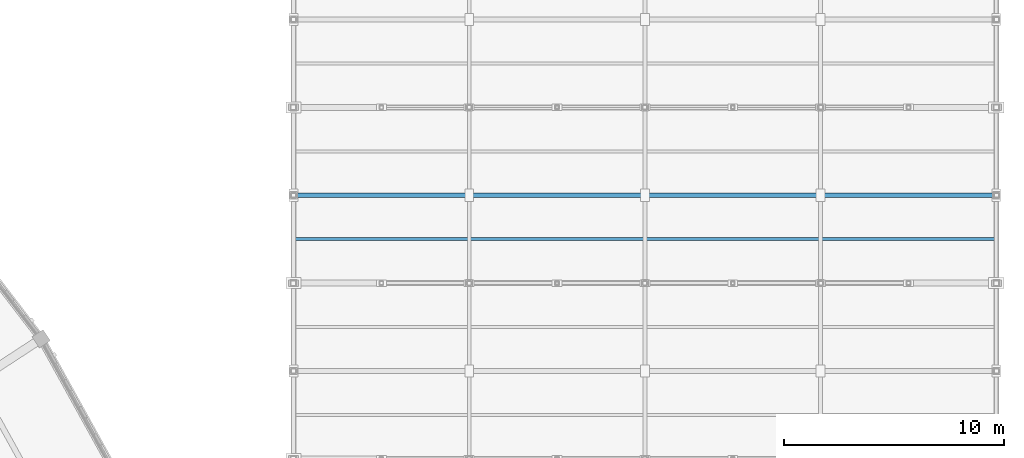
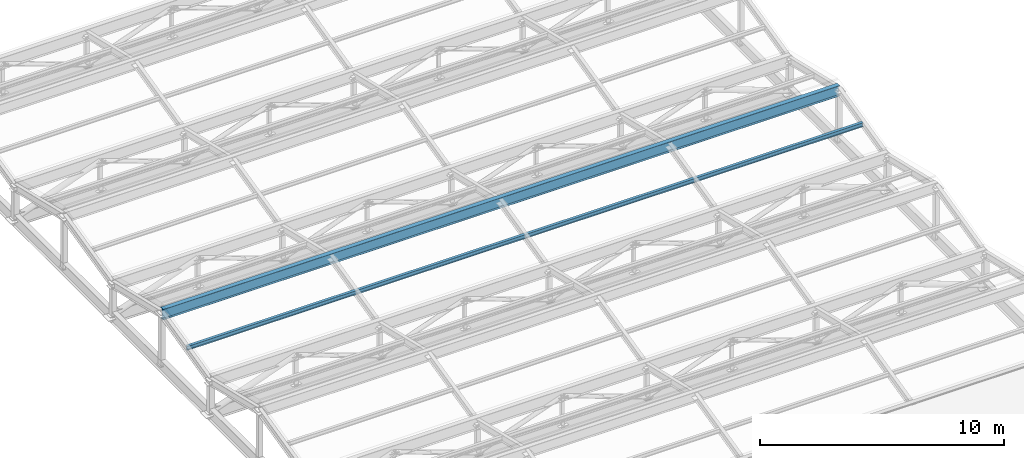
# One storey, part 51 of 112: 2 members.
"""IFC4 building model written with IfcOpenShell, lengths in metres."""

from ifc_helpers import new_model, si_unit, direction, frame, origin, origin_2d, place, context, subcontext, project, spatial, i_section, extrude, material, material_profile, profile_set, type_object, element, save


model = new_model("IFC4")

# Units and contexts
model_context = context("Model", 3, precision=1e-05, world=origin(), true_north=direction((0.0, 1.0)))
body_context = subcontext(model_context, "Body", "Model", "MODEL_VIEW")
ifc_project = project(units=[si_unit("LENGTHUNIT", "METRE"), si_unit("AREAUNIT", "SQUARE_METRE"), si_unit("VOLUMEUNIT", "CUBIC_METRE"), si_unit("PLANEANGLEUNIT", "RADIAN"), si_unit("MASSUNIT", "GRAM", prefix="KILO")], contexts=[model_context])

# Site, building, storey
site_placement = place(None, origin())
site = spatial("IfcSite", under=ifc_project, at=site_placement, CompositionType="ELEMENT")
building_placement = place(site_placement, origin())
building = spatial("IfcBuilding", under=site, at=building_placement, Name="Celadon Cloister-Ring School", CompositionType="ELEMENT")
storey_placement = place(building_placement, frame((0.0, 0.0, 8.5)))
storey = spatial("IfcBuildingStorey", under=building, at=storey_placement, Name="L02", CompositionType="ELEMENT", Elevation=8.5)

# Members
ifc_material_1 = material(Name="Structural steel S355JR", Category="steel")
ifc_material_profile_1 = material_profile(ifc_material_1, i_section(OverallWidth=0.208984375, OverallDepth=0.529052734375, WebThickness=0.009765625, FlangeThickness=0.01318359375, at=origin_2d()), Name="W530X74")
ifc_profile_set_1 = profile_set([ifc_material_profile_1], Name="Structural steel S355JR")
member_type_1 = type_object("IfcMemberType", Name="MC-04", PredefinedType="CHORD", material=ifc_profile_set_1)
member_1_placement = place(storey_placement, frame((142.0, 94.0, 3.449951171875), z_axis=(1.0, 0.0, 0.0), x_axis=(0.0, 1.0, 0.0)))
element("IfcMember", 1, at=member_1_placement, inside=storey, type_object=member_type_1, Name="Structural Member 0539", PredefinedType="CHORD", context=body_context, shape_type="SweptSolid", body=[
    extrude(i_section(OverallWidth=0.208984375, OverallDepth=0.529052734375, WebThickness=0.009765625, FlangeThickness=0.01318359375, at=origin_2d()), origin(), (0.0, 0.0, 1.0), 32.0),
])
ifc_material_2 = material(Name="Structural steel S355JR", Category="steel")
ifc_material_profile_2 = material_profile(ifc_material_2, i_section(OverallWidth=0.133056640625, OverallDepth=0.20703125, WebThickness=0.005859375, FlangeThickness=0.00830078125, at=origin_2d()), Name="W200X27")
ifc_profile_set_2 = profile_set([ifc_material_profile_2], Name="Structural steel S355JR")
member_type_2 = type_object("IfcMemberType", Name="MP-04", PredefinedType="PURLIN", material=ifc_profile_set_2)
member_2_placement = place(storey_placement, frame((142.02001953125, 92.0, 2.949951171875), z_axis=(1.0, 0.0, 0.0), x_axis=(0.0, 1.0, 0.0)))
element("IfcMember", 2, at=member_2_placement, inside=storey, type_object=member_type_2, Name="Structural Member 0550", PredefinedType="PURLIN", context=body_context, shape_type="SweptSolid", body=[
    extrude(i_section(OverallWidth=0.133056640625, OverallDepth=0.20703125, WebThickness=0.005859375, FlangeThickness=0.00830078125, at=origin_2d()), origin(), (0.0, 0.0, 1.0), 31.9599609375),
])

save(model, "model.ifc")
